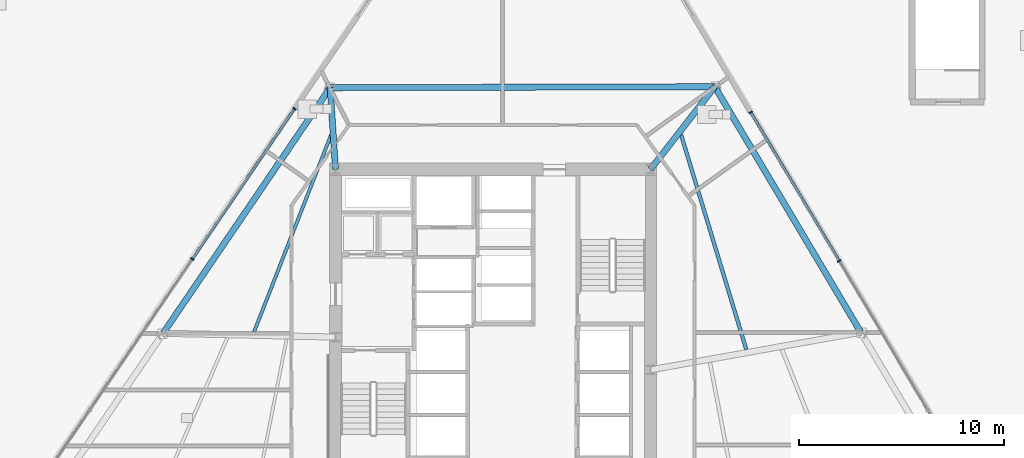
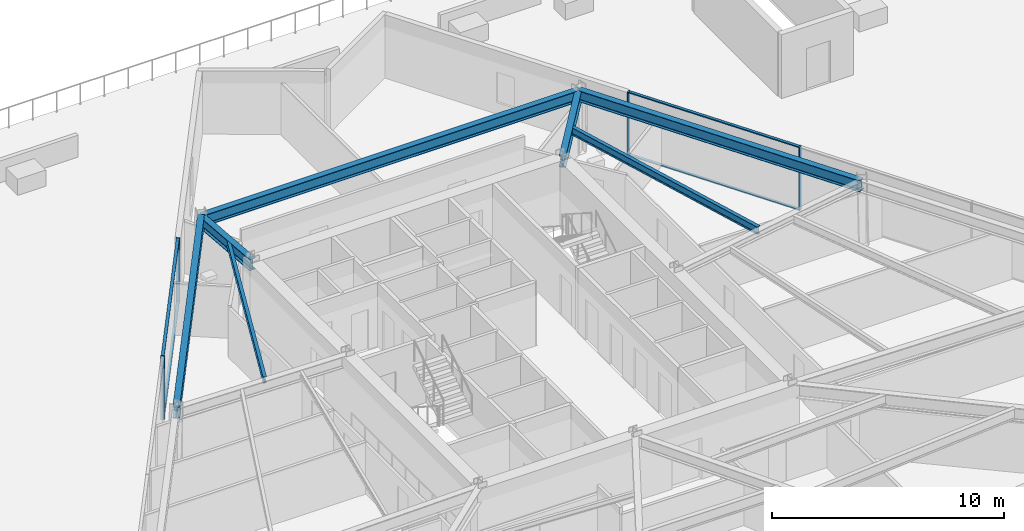
# One storey, part 5 of 19: 8 members, 7 beams, 2 elements without a shape of their own.
"""IFC4 building model written with IfcOpenShell, lengths in metres."""

import ifcopenshell
import ifcopenshell.guid

model = None  # the IFC model being written
_history = None  # IfcOwnerHistory: only IFC2X3 demands one
_inside = {}  # id of a spatial element -> (the spatial element, [elements in it])
_under = {}  # id of a project, library or spatial element -> (it, [spatial elements below it])
_declared = {}  # id of a project -> (the project, [libraries it declares])
_typed = {}  # id of a type object -> (the type object, [elements of that type])
_made_of = {}  # id of a material, layer set ... -> (it, [elements and type objects made of it])


def new_model(schema):
    """Start an empty IFC model of exactly this schema.

    Asked for "IFC4X3", IfcOpenShell would pick the latest addendum, in which some entities
    have other attributes; the version numbers below select the first issue.
    IFC2X3 requires an IfcOwnerHistory on every rooted entity: one is made here for all.
    """
    global model, _history
    if schema == "IFC4X3":
        model = ifcopenshell.file(schema_version=(4, 3, 0, 0))
    else:
        model = ifcopenshell.file(schema=schema)
    _inside.clear()
    _under.clear()
    _declared.clear()
    _typed.clear()
    _made_of.clear()
    _history = None
    if model.schema == "IFC2X3":
        org = make("IfcOrganization", Name="unknown")
        user = make(
            "IfcPersonAndOrganization",
            ThePerson=make("IfcPerson", FamilyName="unknown"),
            TheOrganization=org,
        )
        app = make(
            "IfcApplication",
            ApplicationDeveloper=org,
            Version="unknown",
            ApplicationFullName="unknown",
            ApplicationIdentifier="unknown",
        )
        _history = make(
            "IfcOwnerHistory",
            OwningUser=user,
            OwningApplication=app,
            ChangeAction="ADDED",
            CreationDate=0,
        )
    return model


def make(cls, **values):
    """One entity of the class cls with the attributes given. An attribute that is None is left unset."""
    return model.create_entity(
        cls, **{name: value for name, value in values.items() if value is not None}
    )


def rooted(cls, **values):
    """An entity with a GlobalId (a new one), such as an element, a storey or a relation."""
    return make(cls, GlobalId=ifcopenshell.guid.new(), OwnerHistory=_history, **values)


def si_unit(unit_type, name, prefix=None):
    """IfcSIUnit, for example si_unit("LENGTHUNIT", "METRE", prefix="MILLI")."""
    return make("IfcSIUnit", UnitType=unit_type, Prefix=prefix, Name=name)


def assignment(units):
    """IfcUnitAssignment: the units of a project."""
    return None if units is None else make("IfcUnitAssignment", Units=units)


def point(xyz):
    """IfcCartesianPoint."""
    return None if xyz is None else make("IfcCartesianPoint", Coordinates=xyz)


def direction(xyz):
    """IfcDirection."""
    return None if xyz is None else make("IfcDirection", DirectionRatios=xyz)


def frame(location, z_axis=None, x_axis=None):
    """IfcAxis2Placement3D, a coordinate frame: its origin and axes. An axis left out is left unset."""
    return make(
        "IfcAxis2Placement3D",
        Location=point(location),
        Axis=direction(z_axis),
        RefDirection=direction(x_axis),
    )


def frame_2d(location, x_axis=None):
    """IfcAxis2Placement2D, a coordinate frame in the plane: its origin and x axis."""
    return make(
        "IfcAxis2Placement2D", Location=point(location), RefDirection=direction(x_axis)
    )


def origin():
    """The frame at (0, 0, 0) with its axes left unset."""
    return frame((0.0, 0.0, 0.0))


def origin_2d():
    """The frame at (0, 0) in the plane with its x axis left unset."""
    return frame_2d((0.0, 0.0))


def place(relative_to, where):
    """IfcLocalPlacement: puts the frame where relative to a parent placement (None: the world)."""
    return make(
        "IfcLocalPlacement", PlacementRelTo=relative_to, RelativePlacement=where
    )


def context(
    kind, dimensions, precision=None, world=None, true_north=None, identifier=None
):
    """IfcGeometricRepresentationContext, for example the 3D "Model" context."""
    return make(
        "IfcGeometricRepresentationContext",
        ContextIdentifier=identifier,
        ContextType=kind,
        CoordinateSpaceDimension=dimensions,
        Precision=precision,
        WorldCoordinateSystem=world,
        TrueNorth=true_north,
    )


def subcontext(parent, identifier, kind, view, scale=None):
    """IfcGeometricRepresentationSubContext, for example "Body" below "Model"."""
    return make(
        "IfcGeometricRepresentationSubContext",
        ContextIdentifier=identifier,
        ContextType=kind,
        ParentContext=parent,
        TargetScale=scale,
        TargetView=view,
    )


def project(units=None, contexts=None):
    """IfcProject with its units and contexts."""
    return rooted(
        "IfcProject",
        Name="project",
        RepresentationContexts=contexts,
        UnitsInContext=assignment(units),
    )


def spatial(cls, under=None, at=None, **own):
    """A site, building, storey or space (cls), placed at a placement, below another one or the project."""
    s = rooted(cls, ObjectPlacement=at, **own)
    if under is not None:
        _under.setdefault(under.id(), (under, []))[1].append(s)
    return s


def profile(cls, at=None, kind="AREA", **sizes):
    """A parametric profile (cls). Its sizes go by their IFC names, for example OverallWidth=200.0."""
    return make(cls, ProfileType=kind, Position=at, **sizes)


def rectangle(**sizes):
    """IfcRectangleProfileDef."""
    return profile("IfcRectangleProfileDef", **sizes)


def i_section(**sizes):
    """IfcIShapeProfileDef."""
    return profile("IfcIShapeProfileDef", **sizes)


def extrude(swept, where, along, depth):
    """IfcExtrudedAreaSolid: the profile swept, set in the frame where, extruded along a direction by depth."""
    return make(
        "IfcExtrudedAreaSolid",
        SweptArea=swept,
        Position=where,
        ExtrudedDirection=direction(along),
        Depth=depth,
    )


def shape(context_of_items, identifier, shape_type, items):
    """IfcShapeRepresentation: the items that make up one representation, for example the "Body"."""
    return make(
        "IfcShapeRepresentation",
        ContextOfItems=context_of_items,
        RepresentationIdentifier=identifier,
        RepresentationType=shape_type,
        Items=items,
    )


def material(Name=None, Category=None):
    """IfcMaterial."""
    return make("IfcMaterial", Name=Name, Category=Category)


def material_profile(
    of_material, cross_section, Name=None, Category=None, Priority=None
):
    """IfcMaterialProfile: a cross section and its material."""
    return make(
        "IfcMaterialProfile",
        Name=Name,
        Material=of_material,
        Profile=cross_section,
        Priority=Priority,
        Category=Category,
    )


def profile_set(profiles, Name=None, composite=None):
    """IfcMaterialProfileSet."""
    return make(
        "IfcMaterialProfileSet",
        Name=Name,
        MaterialProfiles=profiles,
        CompositeProfile=composite,
    )


def made_of(thing, what):
    """Note that an element or type object is made of a material, layer set ...; save() writes the relation."""
    if what is not None:
        _made_of.setdefault(what.id(), (what, []))[1].append(thing)
    return thing


def type_object(cls, material=None, **own):
    """A type object (cls), such as IfcWallType, which elements share."""
    return made_of(rooted(cls, **own), material)


def element(
    cls,
    number,
    at=None,
    inside=None,
    cuts=None,
    type_object=None,
    material=None,
    context=None,
    identifier="Body",
    shape_type=None,
    held_by="IfcProductDefinitionShape",
    body=None,
    shapes=None,
    **own,
):
    """One element of the class cls, such as IfcWall. Its Tag is "e" and its number.

    at: its placement. inside: the storey or other place that contains it. cuts: it is an
    opening in that element (IfcRelVoidsElement). A single representation is given by context,
    identifier, shape_type and body (its items); several are given by shapes. held_by: the class
    of the entity that holds the representations. save() writes the other relations.
    """
    e = rooted(cls, Tag="e%d" % number, ObjectPlacement=at, **own)
    if body is not None:
        shapes = [shape(context, identifier, shape_type, body)]
    if shapes is not None:
        e.Representation = make(held_by, Representations=shapes)
    if inside is not None:
        _inside.setdefault(inside.id(), (inside, []))[1].append(e)
    if cuts is not None:
        rooted(
            "IfcRelVoidsElement", RelatingBuildingElement=cuts, RelatedOpeningElement=e
        )
    if type_object is not None:
        _typed.setdefault(type_object.id(), (type_object, []))[1].append(e)
    return made_of(e, material)


def aggregate(whole, parts):
    """IfcRelAggregates: a whole, such as a stair, and the parts it consists of."""
    return rooted("IfcRelAggregates", RelatingObject=whole, RelatedObjects=parts)


def save(model, path):
    """Write the relations noted so far, then the file.

    IfcRelAggregates (storeys below a building ...), IfcRelContainedInSpatialStructure (elements
    in a storey), IfcRelDefinesByType, IfcRelAssociatesMaterial and IfcRelDeclares: one each for
    every whole, place, type object, material and project.
    """
    for whole, parts in _under.values():
        aggregate(whole, parts)
    for where, things in _inside.values():
        rooted(
            "IfcRelContainedInSpatialStructure",
            RelatedElements=things,
            RelatingStructure=where,
        )
    for kind, things in _typed.values():
        rooted("IfcRelDefinesByType", RelatedObjects=things, RelatingType=kind)
    for what, things in _made_of.values():
        rooted("IfcRelAssociatesMaterial", RelatedObjects=things, RelatingMaterial=what)
    for by, libraries in _declared.values():
        rooted("IfcRelDeclares", RelatingContext=by, RelatedDefinitions=libraries)
    model.write(path)


model = new_model("IFC4")

# Units and contexts
model_context = context("Model", 3, precision=1e-05, world=origin(), true_north=direction((0.0, 1.0)))
body_context = subcontext(model_context, "Body", "Model", "MODEL_VIEW")
ifc_project = project(units=[si_unit("LENGTHUNIT", "METRE"), si_unit("AREAUNIT", "SQUARE_METRE"), si_unit("VOLUMEUNIT", "CUBIC_METRE"), si_unit("PLANEANGLEUNIT", "RADIAN"), si_unit("MASSUNIT", "GRAM", prefix="KILO")], contexts=[model_context])

# Site, building, storey
site_placement = place(None, origin())
site = spatial("IfcSite", under=ifc_project, at=site_placement, CompositionType="ELEMENT")
building_placement = place(site_placement, origin())
building = spatial("IfcBuilding", under=site, at=building_placement, Name="Savorim Split Tower", CompositionType="ELEMENT")
storey_placement = place(building_placement, frame((0.0, 0.0, 26.39990234375)))
storey = spatial("IfcBuildingStorey", under=building, at=storey_placement, Name="L06", CompositionType="ELEMENT", Elevation=26.39990234375)

# Beams
ifc_material_1 = material(Name="Steel S355", Category="steel")
ifc_material_profile_1 = material_profile(ifc_material_1, i_section(OverallWidth=0.159912109375, OverallDepth=0.330078125, WebThickness=0.007568359375, FlangeThickness=0.011474609375, FilletRadius=0.01806640625, at=origin_2d()), Name="IPE 330")
ifc_profile_set_1 = profile_set([ifc_material_profile_1], Name="Steel S355")
beam_type_1 = type_object("IfcBeamType", Name="BM-JST-IPE330", PredefinedType="JOIST", material=ifc_profile_set_1)
beam_1_placement = place(storey_placement, frame((-7.883544921875, 11.96728515625, 3.18505859375), z_axis=(-0.364137587987, -0.931345165347, 0.0), x_axis=(0.931345165347, -0.364137587987, 0.0)))
element("IfcBeam", 1, at=beam_1_placement, inside=storey, type_object=beam_type_1, Name="L06 Secondary Floor Joist JS-09", PredefinedType="JOIST", context=body_context, shape_type="SweptSolid", body=[
    extrude(i_section(OverallWidth=0.159912109375, OverallDepth=0.330078125, WebThickness=0.007568359375, FlangeThickness=0.011474609375, FilletRadius=0.01806640625, at=origin_2d()), origin(), (0.0, 0.0, 1.0), 10.445068359375),
])
ifc_material_profile_2 = material_profile(ifc_material_1, i_section(OverallWidth=0.179931640625, OverallDepth=0.39990234375, WebThickness=0.008544921875, FlangeThickness=0.013427734375, FilletRadius=0.02099609375, at=origin_2d()), Name="IPE 400")
ifc_profile_set_2 = profile_set([ifc_material_profile_2], Name="Steel S355")
beam_type_2 = type_object("IfcBeamType", Name="BM-JST-IPE400", PredefinedType="JOIST", material=ifc_profile_set_2)
beam_2_placement = place(storey_placement, frame((12.383056640625, 1.39794921875, 3.150146484375), z_axis=(-0.290542306149, 0.956862146987, 0.0), x_axis=(-0.956862146987, -0.290542306149, 0.0)))
element("IfcBeam", 2, at=beam_2_placement, inside=storey, type_object=beam_type_2, Name="L06 Secondary Floor Joist JS-07", PredefinedType="JOIST", context=body_context, shape_type="SweptSolid", body=[
    extrude(i_section(OverallWidth=0.179931640625, OverallDepth=0.39990234375, WebThickness=0.008544921875, FlangeThickness=0.013427734375, FilletRadius=0.02099609375, at=origin_2d()), origin(), (0.0, 0.0, 1.0), 10.981689453125),
])
ifc_material_profile_3 = material_profile(ifc_material_1, i_section(OverallWidth=0.300048828125, OverallDepth=0.60009765625, WebThickness=0.015380859375, FlangeThickness=0.030029296875, FilletRadius=0.027099609375, at=origin_2d()), Name="HEB 600")
ifc_profile_set_3 = profile_set([ifc_material_profile_3], Name="Steel S355")
beam_type_3 = type_object("IfcBeamType", Name="BM-PRI-HEB600", PredefinedType="BEAM", material=ifc_profile_set_3)
beam_3_placement = place(storey_placement, frame((10.843505859375, 14.2412109375, 3.050048828125), z_axis=(-0.613983528511, -0.789318837174, 0.0), x_axis=(0.789318837174, -0.613983528511, 0.0)))
element("IfcBeam", 3, at=beam_3_placement, inside=storey, type_object=beam_type_3, Name="L06 Primary Floor Girder RG-07", PredefinedType="BEAM", context=body_context, shape_type="SweptSolid", body=[
    extrude(i_section(OverallWidth=0.300048828125, OverallDepth=0.60009765625, WebThickness=0.015380859375, FlangeThickness=0.030029296875, FilletRadius=0.027099609375, at=origin_2d()), origin(), (0.0, 0.0, 1.0), 5.119873046875),
])
beam_4_placement = place(storey_placement, frame((-7.9609375, 14.1923828125, 3.050048828125), z_axis=(0.065231042039, -0.997870187527, 0.0), x_axis=(0.997870187527, 0.065231042039, 0.0)))
element("IfcBeam", 4, at=beam_4_placement, inside=storey, type_object=beam_type_3, Name="L06 Primary Floor Girder RG-08", PredefinedType="BEAM", context=body_context, shape_type="SweptSolid", body=[
    extrude(i_section(OverallWidth=0.300048828125, OverallDepth=0.60009765625, WebThickness=0.015380859375, FlangeThickness=0.030029296875, FilletRadius=0.027099609375, at=origin_2d()), origin(), (0.0, 0.0, 1.0), 4.0009765625),
])
ifc_material_profile_4 = material_profile(ifc_material_1, i_section(OverallWidth=0.300048828125, OverallDepth=0.590087890625, WebThickness=0.012939453125, FlangeThickness=0.02490234375, FilletRadius=0.027099609375, at=origin_2d()), Name="HEA 600")
ifc_profile_set_4 = profile_set([ifc_material_profile_4], Name="Steel S355")
beam_type_4 = type_object("IfcBeamType", Name="BM-SPN-HEA600", PredefinedType="SPANDREL", material=ifc_profile_set_4)
beam_5_placement = place(storey_placement, frame((17.981689453125, 2.23681640625, 3.05517578125), z_axis=(-0.511098429757, 0.859522189998, 0.0), x_axis=(-0.859522189998, -0.511098429757, 0.0)))
element("IfcBeam", 5, at=beam_5_placement, inside=storey, type_object=beam_type_4, Name="L06 Perimeter Spandrel Beam 6", PredefinedType="SPANDREL", context=body_context, shape_type="SweptSolid", body=[
    extrude(i_section(OverallWidth=0.300048828125, OverallDepth=0.590087890625, WebThickness=0.012939453125, FlangeThickness=0.02490234375, FilletRadius=0.027099609375, at=origin_2d()), origin(), (0.0, 0.0, 1.0), 13.96630859375),
])
beam_6_placement = place(storey_placement, frame((10.843505859375, 14.2412109375, 3.05517578125), z_axis=(-0.999996628781, -0.002596618228, 0.0), x_axis=(0.002596618228, -0.999996628781, 0.0)))
element("IfcBeam", 6, at=beam_6_placement, inside=storey, type_object=beam_type_4, Name="L06 Perimeter Spandrel Beam 7", PredefinedType="SPANDREL", context=body_context, shape_type="SweptSolid", body=[
    extrude(i_section(OverallWidth=0.300048828125, OverallDepth=0.590087890625, WebThickness=0.012939453125, FlangeThickness=0.02490234375, FilletRadius=0.027099609375, at=origin_2d()), origin(), (0.0, 0.0, 1.0), 18.804443359375),
])
beam_7_placement = place(storey_placement, frame((-7.9609375, 14.1923828125, 3.05517578125), z_axis=(-0.562475588607, -0.826813892131, 0.0), x_axis=(0.826813892131, -0.562475588607, 0.0)))
element("IfcBeam", 7, at=beam_7_placement, inside=storey, type_object=beam_type_4, Name="L06 Perimeter Spandrel Beam 8", PredefinedType="SPANDREL", context=body_context, shape_type="SweptSolid", body=[
    extrude(i_section(OverallWidth=0.300048828125, OverallDepth=0.590087890625, WebThickness=0.012939453125, FlangeThickness=0.02490234375, FilletRadius=0.027099609375, at=origin_2d()), origin(), (0.0, 0.0, 1.0), 14.518798828125),
])

# Curtain wall, members
ifc_material_2 = material(Name="Dark Ceramic-Fritted Insulated Glass", Category="glass")
curtain_wall_type = type_object("IfcCurtainWallType", Name="CW-TWR-FRIT-A", PredefinedType="NOTDEFINED", material=ifc_material_2)
curtain_wall_1_placement = place(storey_placement, origin())
curtain_wall_1 = element("IfcCurtainWall", 8, at=curtain_wall_1_placement, inside=storey, type_object=curtain_wall_type, Name="L06 Curtain Wall CW-L06-EAST", PredefinedType="NOTDEFINED")
ifc_material_3 = material(Name="Charcoal Anodised Aluminium", Category="aluminium")
ifc_material_profile_5 = material_profile(ifc_material_3, rectangle(XDim=0.179931640625, YDim=0.06494140625, at=origin_2d()), Name="ALU-M 180x65")
ifc_profile_set_5 = profile_set([ifc_material_profile_5], Name="Charcoal Anodised Aluminium")
member_type_1 = type_object("IfcMemberType", Name="CWM-180x65", PredefinedType="MULLION", material=ifc_profile_set_5)
member_1_placement = place(storey_placement, frame((16.92333984375, 5.72021484375, 0.0), z_axis=(0.0, 0.0, 1.0), x_axis=(-0.859525752007, -0.511092439425, 0.0)))
member_1 = element("IfcMember", 9, at=member_1_placement, type_object=member_type_1, Name="CW-02 mullion 4", PredefinedType="MULLION", context=body_context, shape_type="SweptSolid", body=[
    extrude(rectangle(XDim=0.179931640625, YDim=0.06494140625, at=origin_2d()), origin(), (0.0, 0.0, 1.0), 3.35009765625),
])
member_2_placement = place(storey_placement, frame((12.599609375, 12.991455078125, 0.0), z_axis=(0.0, 0.0, 1.0), x_axis=(-0.859525752007, -0.511092439425, 0.0)))
member_2 = element("IfcMember", 10, at=member_2_placement, type_object=member_type_1, Name="CW-02 mullion 5", PredefinedType="MULLION", context=body_context, shape_type="SweptSolid", body=[
    extrude(rectangle(XDim=0.179931640625, YDim=0.06494140625, at=origin_2d()), origin(), (0.0, 0.0, 1.0), 3.35009765625),
])

curtain_wall_2_placement = place(storey_placement, origin())
curtain_wall_2 = element("IfcCurtainWall", 11, at=curtain_wall_2_placement, inside=storey, type_object=curtain_wall_type, Name="L06 Curtain Wall CW-L06-WEST", PredefinedType="NOTDEFINED")
member_3_placement = place(storey_placement, frame((-9.702392578125, 13.1640625, 0.0), z_axis=(0.0, 0.0, 1.0), x_axis=(0.826820923165, -0.562465253164, 0.0)))
member_3 = element("IfcMember", 12, at=member_3_placement, type_object=member_type_1, Name="CW-02 mullion 1", PredefinedType="MULLION", context=body_context, shape_type="SweptSolid", body=[
    extrude(rectangle(XDim=0.179931640625, YDim=0.06494140625, at=origin_2d()), origin(), (0.0, 0.0, 1.0), 3.35009765625),
])
member_4_placement = place(storey_placement, frame((-14.700927734375, 5.81591796875, 0.0), z_axis=(0.0, 0.0, 1.0), x_axis=(0.826820923165, -0.562465253164, 0.0)))
member_4 = element("IfcMember", 13, at=member_4_placement, type_object=member_type_1, Name="CW-02 mullion 2", PredefinedType="MULLION", context=body_context, shape_type="SweptSolid", body=[
    extrude(rectangle(XDim=0.179931640625, YDim=0.06494140625, at=origin_2d()), origin(), (0.0, 0.0, 1.0), 3.35009765625),
])

# Member
ifc_material_profile_6 = material_profile(ifc_material_3, rectangle(XDim=0.139892578125, YDim=0.054931640625, at=origin_2d()), Name="ALU-T 140x55")
ifc_profile_set_6 = profile_set([ifc_material_profile_6], Name="Charcoal Anodised Aluminium")
member_type_2 = type_object("IfcMemberType", Name="CWT-140x55", PredefinedType="USERDEFINED", material=ifc_profile_set_6)
member_5_placement = place(storey_placement, frame((16.90673828125, 5.748046875, 0.027587890625), z_axis=(-0.511091652485, 0.859526219938, 0.0), x_axis=(-0.859526219938, -0.511091652485, 0.0)))
member_5 = element("IfcMember", 14, at=member_5_placement, type_object=member_type_2, Name="CW-02 transom 4.1", ObjectType="TRANSOM", PredefinedType="USERDEFINED", context=body_context, shape_type="SweptSolid", body=[
    extrude(rectangle(XDim=0.139892578125, YDim=0.054931640625, at=origin_2d()), origin(), (0.0, 0.0, 1.0), 8.394775390625),
])

member_6_placement = place(storey_placement, frame((16.90673828125, 5.748046875, 3.322509765625), z_axis=(-0.511091652485, 0.859526219938, 0.0), x_axis=(-0.859526219938, -0.511091652485, 0.0)))
member_6 = element("IfcMember", 15, at=member_6_placement, type_object=member_type_2, Name="CW-02 transom 4.2", ObjectType="TRANSOM", PredefinedType="USERDEFINED", context=body_context, shape_type="SweptSolid", body=[
    extrude(rectangle(XDim=0.139892578125, YDim=0.054931640625, at=origin_2d()), origin(), (0.0, 0.0, 1.0), 8.394775390625),
])

aggregate(curtain_wall_1, [member_1, member_2, member_5, member_6])

member_7_placement = place(storey_placement, frame((-9.720458984375, 13.13720703125, 0.027587890625), z_axis=(-0.562479559143, -0.82681119099, 0.0), x_axis=(0.82681119099, -0.562479559143, 0.0)))
member_7 = element("IfcMember", 16, at=member_7_placement, type_object=member_type_2, Name="CW-02 transom 1.1", ObjectType="TRANSOM", PredefinedType="USERDEFINED", context=body_context, shape_type="SweptSolid", body=[
    extrude(rectangle(XDim=0.139892578125, YDim=0.054931640625, at=origin_2d()), origin(), (0.0, 0.0, 1.0), 8.822265625),
])

member_8_placement = place(storey_placement, frame((-9.720458984375, 13.13720703125, 3.322509765625), z_axis=(-0.562479559143, -0.82681119099, 0.0), x_axis=(0.82681119099, -0.562479559143, 0.0)))
member_8 = element("IfcMember", 17, at=member_8_placement, type_object=member_type_2, Name="CW-02 transom 1.2", ObjectType="TRANSOM", PredefinedType="USERDEFINED", context=body_context, shape_type="SweptSolid", body=[
    extrude(rectangle(XDim=0.139892578125, YDim=0.054931640625, at=origin_2d()), origin(), (0.0, 0.0, 1.0), 8.822265625),
])

aggregate(curtain_wall_2, [member_3, member_4, member_7, member_8])

save(model, "model.ifc")
